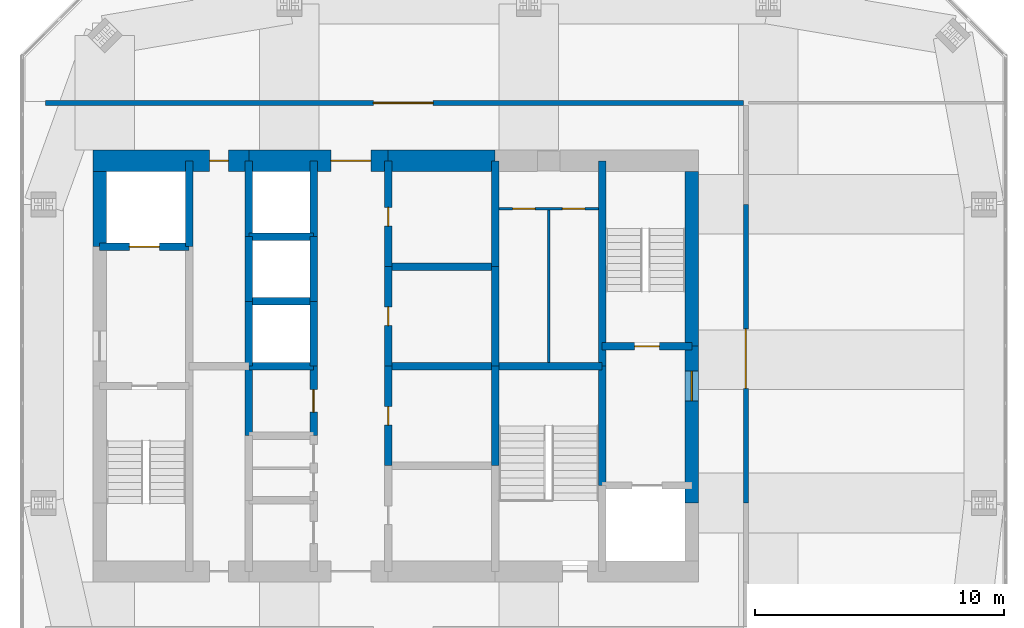
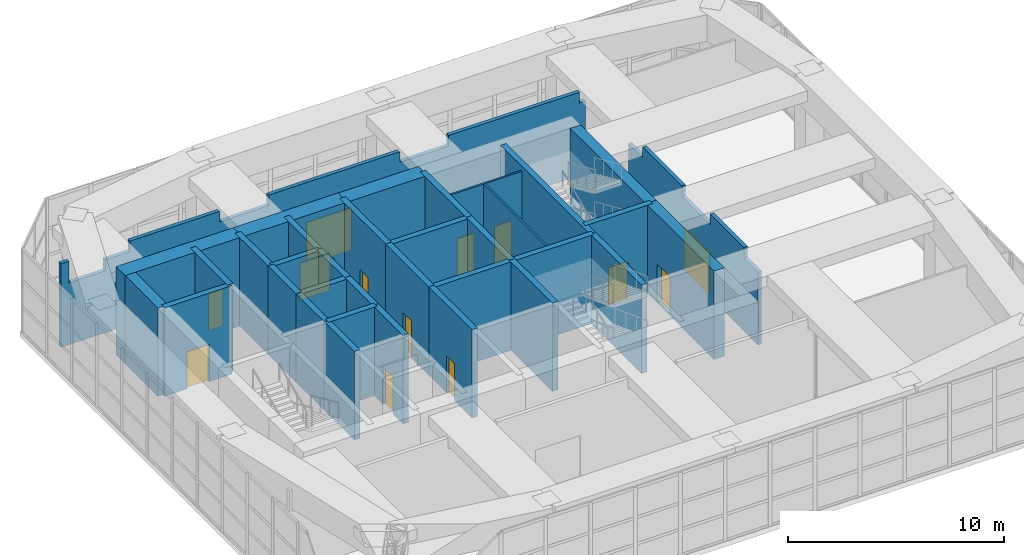
# One storey, part 12 of 14: 35 walls, 13 doors, 13 openings.
"""IFC4 building model written with IfcOpenShell, lengths in metres."""

from ifc_helpers import new_model, si_unit, direction, frame, frame_2d, origin, place, context, subcontext, project, spatial, polyline, rectangle, outline, extrude, material, layer, layer_set, constituent, constituent_set, type_object, element, fill, save


model = new_model("IFC4")

# Units and contexts
model_context = context("Model", 3, precision=1e-05, world=origin(), true_north=direction((0.0, 1.0)))
body_context = subcontext(model_context, "Body", "Model", "MODEL_VIEW")
ifc_project = project(units=[si_unit("LENGTHUNIT", "METRE"), si_unit("AREAUNIT", "SQUARE_METRE"), si_unit("VOLUMEUNIT", "CUBIC_METRE"), si_unit("PLANEANGLEUNIT", "RADIAN"), si_unit("MASSUNIT", "GRAM", prefix="KILO")], contexts=[model_context])

# Site, building, storey
site_placement = place(None, origin())
site = spatial("IfcSite", under=ifc_project, at=site_placement, CompositionType="ELEMENT")
building_placement = place(site_placement, origin())
building = spatial("IfcBuilding", under=site, at=building_placement, Name="Jalousie Tower", CompositionType="ELEMENT")
storey_placement = place(building_placement, frame((0.0, 0.0, 267.75)))
storey = spatial("IfcBuildingStorey", under=building, at=storey_placement, Name="L73", CompositionType="ELEMENT", Elevation=267.75)

# Walls
ifc_material_1 = material(Name="Concrete f'c 120 MPa", Category="concrete")
ifc_layer_1 = layer(ifc_material_1, 0.300048828125)
ifc_layer_set_1 = layer_set([ifc_layer_1], Name="Concrete f'c 120 MPa")
wall_type_1 = type_object("IfcWallType", Name="CORE WALL 300", PredefinedType="SHEAR", material=ifc_layer_set_1)
wall_1_placement = place(storey_placement, frame((23.60009765625, 23.300048828125, 0.0), z_axis=(0.0, 0.0, 1.0), x_axis=(0.0, 1.0, 0.0)))
element("IfcWall", 1, at=wall_1_placement, inside=storey, type_object=wall_type_1, Name="Core wall X23.6C L73", PredefinedType="SHEAR", context=body_context, shape_type="SweptSolid", body=[
    extrude(rectangle(XDim=3.449951171875, YDim=0.300048828125, at=frame_2d((1.72509765625, 0.0))), origin(), (0.0, 0.0, 1.0), 5.0),
])
wall_2_placement = place(storey_placement, frame((26.0, 15.699951171875, 0.0), z_axis=(0.0, 0.0, 1.0), x_axis=(0.0, 1.0, 0.0)))
element("IfcWall", 2, at=wall_2_placement, inside=storey, type_object=wall_type_1, Name="Core wall X26C L73", PredefinedType="SHEAR", context=body_context, shape_type="SweptSolid", body=[
    extrude(rectangle(XDim=2.800048828125, YDim=0.300048828125, at=frame_2d((1.39990234375, 0.0))), origin(), (0.0, 0.0, 1.0), 5.0),
])
wall_3_placement = place(storey_placement, frame((26.0, 18.5, 0.0), z_axis=(0.0, 0.0, 1.0), x_axis=(0.0, 1.0, 0.0)))
element("IfcWall", 3, at=wall_3_placement, inside=storey, type_object=wall_type_1, Name="Core wall X26D L73", PredefinedType="SHEAR", context=body_context, shape_type="SweptSolid", body=[
    extrude(rectangle(XDim=2.60009765625, YDim=0.300048828125, at=frame_2d((1.300048828125, 0.0))), origin(), (0.0, 0.0, 1.0), 5.0),
])
wall_4_placement = place(storey_placement, frame((26.0, 21.10009765625, 0.0), z_axis=(0.0, 0.0, 1.0), x_axis=(0.0, 1.0, 0.0)))
element("IfcWall", 4, at=wall_4_placement, inside=storey, type_object=wall_type_1, Name="Core wall X26E L73", PredefinedType="SHEAR", context=body_context, shape_type="SweptSolid", body=[
    extrude(rectangle(XDim=2.599853515625, YDim=0.300048828125, at=frame_2d((1.2998046875, 0.0))), origin(), (0.0, 0.0, 1.0), 5.0),
])
wall_5_placement = place(storey_placement, frame((26.0, 23.699951171875, 0.0), z_axis=(0.0, 0.0, 1.0), x_axis=(0.0, 1.0, 0.0)))
element("IfcWall", 5, at=wall_5_placement, inside=storey, type_object=wall_type_1, Name="Core wall X26F L73", PredefinedType="SHEAR", context=body_context, shape_type="SweptSolid", body=[
    extrude(rectangle(XDim=3.050048828125, YDim=0.300048828125, at=frame_2d((1.52490234375, 0.0))), origin(), (0.0, 0.0, 1.0), 5.0),
])

# Wall, opening, door
wall_6_placement = place(storey_placement, frame((28.60009765625, 15.699951171875, 0.0), z_axis=(0.0, 0.0, 1.0), x_axis=(0.0, 1.0, 0.0)))
wall_6 = element("IfcWall", 6, at=wall_6_placement, inside=storey, type_object=wall_type_1, Name="Core wall X28.6C L73", PredefinedType="SHEAR", context=body_context, shape_type="SweptSolid", body=[
    extrude(rectangle(XDim=2.800048828125, YDim=0.300048828125, at=frame_2d((1.39990234375, 0.0))), origin(), (0.0, 0.0, 1.0), 5.0),
])
opening_1_placement = place(wall_6_placement, frame((0.949951171875, 0.0, 0.0)))
opening_1 = element("IfcOpeningElement", 7, at=opening_1_placement, cuts=wall_6, Name="Opening D24", PredefinedType="OPENING", context=body_context, shape_type="SweptSolid", body=[
    extrude(rectangle(XDim=0.89990234375, YDim=2.10009765625, at=frame_2d((0.449951171875, 1.050048828125))), frame((0.0, 0.159912109375, 0.0), z_axis=(0.0, -1.0, 0.0), x_axis=(1.0, 0.0, 0.0)), (0.0, 0.0, 1.0), 0.320068359375),
])
ifc_material_2 = material(Name="Steel fire door", Category="steel")
door_type_1 = type_object("IfcDoorType", Name="CORE ROOM DOOR 900", OperationType="SINGLE_SWING_LEFT", PredefinedType="DOOR", material=ifc_material_2)
door_1_placement = place(opening_1_placement, origin())
door_1 = element("IfcDoor", 8, at=door_1_placement, inside=storey, type_object=door_type_1, Name="IT room door", OperationType="SINGLE_SWING_LEFT", OverallHeight=2.10009765625, OverallWidth=0.89990234375, PredefinedType="DOOR", context=body_context, shape_type="SweptSolid", body=[
    extrude(rectangle(XDim=0.89990234375, YDim=2.10009765625, at=frame_2d((0.449951171875, 1.050048828125))), frame((0.0, 0.02490234375, 0.0), z_axis=(0.0, -1.0, 0.0), x_axis=(1.0, 0.0, 0.0)), (0.0, 0.0, 1.0), 0.050048828125),
])
fill(opening_1, door_1)

# Walls
wall_7_placement = place(storey_placement, frame((28.60009765625, 18.5, 0.0), z_axis=(0.0, 0.0, 1.0), x_axis=(0.0, 1.0, 0.0)))
element("IfcWall", 9, at=wall_7_placement, inside=storey, type_object=wall_type_1, Name="Core wall X28.6D L73", PredefinedType="SHEAR", context=body_context, shape_type="SweptSolid", body=[
    extrude(rectangle(XDim=2.60009765625, YDim=0.300048828125, at=frame_2d((1.300048828125, 0.0))), origin(), (0.0, 0.0, 1.0), 5.0),
])
wall_8_placement = place(storey_placement, frame((28.60009765625, 21.10009765625, 0.0), z_axis=(0.0, 0.0, 1.0), x_axis=(0.0, 1.0, 0.0)))
element("IfcWall", 10, at=wall_8_placement, inside=storey, type_object=wall_type_1, Name="Core wall X28.6E L73", PredefinedType="SHEAR", context=body_context, shape_type="SweptSolid", body=[
    extrude(rectangle(XDim=2.599853515625, YDim=0.300048828125, at=frame_2d((1.2998046875, 0.0))), origin(), (0.0, 0.0, 1.0), 5.0),
])
wall_9_placement = place(storey_placement, frame((28.60009765625, 23.699951171875, 0.0), z_axis=(0.0, 0.0, 1.0), x_axis=(0.0, 1.0, 0.0)))
element("IfcWall", 11, at=wall_9_placement, inside=storey, type_object=wall_type_1, Name="Core wall X28.6F L73", PredefinedType="SHEAR", context=body_context, shape_type="SweptSolid", body=[
    extrude(rectangle(XDim=3.050048828125, YDim=0.300048828125, at=frame_2d((1.52490234375, 0.0))), origin(), (0.0, 0.0, 1.0), 5.0),
])

# Wall, opening, door
wall_10_placement = place(storey_placement, frame((31.60009765625, 14.5, 0.0), z_axis=(0.0, 0.0, 1.0), x_axis=(0.0, 1.0, 0.0)))
wall_10 = element("IfcWall", 12, at=wall_10_placement, inside=storey, type_object=wall_type_1, Name="Core wall X31.6B L73", PredefinedType="SHEAR", context=body_context, shape_type="SweptSolid", body=[
    extrude(rectangle(XDim=4.0, YDim=0.300048828125, at=frame_2d((2.0, 0.0))), origin(), (0.0, 0.0, 1.0), 5.0),
])
opening_2_placement = place(wall_10_placement, frame((1.625, 0.0, 0.0)))
opening_2 = element("IfcOpeningElement", 13, at=opening_2_placement, cuts=wall_10, Name="Opening D16", PredefinedType="OPENING", context=body_context, shape_type="SweptSolid", body=[
    extrude(rectangle(XDim=0.75, YDim=2.10009765625, at=frame_2d((0.375, 1.050048828125))), frame((0.0, 0.159912109375, 0.0), z_axis=(0.0, -1.0, 0.0), x_axis=(1.0, 0.0, 0.0)), (0.0, 0.0, 1.0), 0.320068359375),
])
ifc_material_3 = material(Name="Steel fire door", Category="steel")
door_type_2 = type_object("IfcDoorType", Name="RISER DOOR 750", OperationType="SINGLE_SWING_LEFT", PredefinedType="DOOR", material=ifc_material_3)
door_2_placement = place(opening_2_placement, frame((0.75, 0.0, 0.0), z_axis=(0.0, 0.0, 1.0), x_axis=(-1.0, 0.0, 0.0)))
door_2 = element("IfcDoor", 14, at=door_2_placement, inside=storey, type_object=door_type_2, Name="Electrical Room door", OperationType="SINGLE_SWING_RIGHT", OverallHeight=2.10009765625, OverallWidth=0.75, PredefinedType="DOOR", context=body_context, shape_type="SweptSolid", body=[
    extrude(rectangle(XDim=0.75, YDim=2.10009765625, at=frame_2d((0.375, 1.050048828125))), frame((0.0, 0.02490234375, 0.0), z_axis=(0.0, -1.0, 0.0), x_axis=(1.0, 0.0, 0.0)), (0.0, 0.0, 1.0), 0.050048828125),
])
fill(opening_2, door_2)

wall_11_placement = place(storey_placement, frame((31.60009765625, 18.5, 0.0), z_axis=(0.0, 0.0, 1.0), x_axis=(0.0, 1.0, 0.0)))
wall_11 = element("IfcWall", 15, at=wall_11_placement, inside=storey, type_object=wall_type_1, Name="Core wall X31.6C L73", PredefinedType="SHEAR", context=body_context, shape_type="SweptSolid", body=[
    extrude(rectangle(XDim=4.0, YDim=0.300048828125, at=frame_2d((2.0, 0.0))), origin(), (0.0, 0.0, 1.0), 5.0),
])
opening_3_placement = place(wall_11_placement, frame((1.625, 0.0, 0.0)))
opening_3 = element("IfcOpeningElement", 16, at=opening_3_placement, cuts=wall_11, Name="Opening D16", PredefinedType="OPENING", context=body_context, shape_type="SweptSolid", body=[
    extrude(rectangle(XDim=0.75, YDim=2.10009765625, at=frame_2d((0.375, 1.050048828125))), frame((0.0, 0.159912109375, 0.0), z_axis=(0.0, -1.0, 0.0), x_axis=(1.0, 0.0, 0.0)), (0.0, 0.0, 1.0), 0.320068359375),
])
door_3_placement = place(opening_3_placement, frame((0.75, 0.0, 0.0), z_axis=(0.0, 0.0, 1.0), x_axis=(-1.0, 0.0, 0.0)))
door_3 = element("IfcDoor", 17, at=door_3_placement, inside=storey, type_object=door_type_2, Name="Telecom Room door", OperationType="SINGLE_SWING_RIGHT", OverallHeight=2.10009765625, OverallWidth=0.75, PredefinedType="DOOR", context=body_context, shape_type="SweptSolid", body=[
    extrude(rectangle(XDim=0.75, YDim=2.10009765625, at=frame_2d((0.375, 1.050048828125))), frame((0.0, 0.02490234375, 0.0), z_axis=(0.0, -1.0, 0.0), x_axis=(1.0, 0.0, 0.0)), (0.0, 0.0, 1.0), 0.050048828125),
])
fill(opening_3, door_3)

wall_12_placement = place(storey_placement, frame((31.60009765625, 22.5, 0.0), z_axis=(0.0, 0.0, 1.0), x_axis=(0.0, 1.0, 0.0)))
wall_12 = element("IfcWall", 18, at=wall_12_placement, inside=storey, type_object=wall_type_1, Name="Core wall X31.6D L73", PredefinedType="SHEAR", context=body_context, shape_type="SweptSolid", body=[
    extrude(rectangle(XDim=4.25, YDim=0.300048828125, at=frame_2d((2.125, 0.0))), origin(), (0.0, 0.0, 1.0), 5.0),
])
opening_4_placement = place(wall_12_placement, frame((1.625, 0.0, 0.0)))
opening_4 = element("IfcOpeningElement", 19, at=opening_4_placement, cuts=wall_12, Name="Opening D16", PredefinedType="OPENING", context=body_context, shape_type="SweptSolid", body=[
    extrude(rectangle(XDim=0.75, YDim=2.10009765625, at=frame_2d((0.375, 1.050048828125))), frame((0.0, 0.159912109375, 0.0), z_axis=(0.0, -1.0, 0.0), x_axis=(1.0, 0.0, 0.0)), (0.0, 0.0, 1.0), 0.320068359375),
])
door_4_placement = place(opening_4_placement, frame((0.75, 0.0, 0.0), z_axis=(0.0, 0.0, 1.0), x_axis=(-1.0, 0.0, 0.0)))
door_4 = element("IfcDoor", 20, at=door_4_placement, inside=storey, type_object=door_type_2, Name="Water Services Room door", OperationType="SINGLE_SWING_LEFT", OverallHeight=2.10009765625, OverallWidth=0.75, PredefinedType="DOOR", context=body_context, shape_type="SweptSolid", body=[
    extrude(rectangle(XDim=0.75, YDim=2.10009765625, at=frame_2d((0.375, 1.050048828125))), frame((0.0, 0.02490234375, 0.0), z_axis=(0.0, -1.0, 0.0), x_axis=(1.0, 0.0, 0.0)), (0.0, 0.0, 1.0), 0.050048828125),
])
fill(opening_4, door_4)

# Walls
for number, where, z_axis, x_axis, name in (
    (21, (35.89990234375, 14.5, 0.0), (0.0, 0.0, 1.0), (0.0, 1.0, 0.0), "Core wall X35.9B L73"),
    (22, (35.89990234375, 18.5, 0.0), (0.0, 0.0, 1.0), (0.0, 1.0, 0.0), "Core wall X35.9C L73"),
):
    element("IfcWall", number, at=place(storey_placement, frame(where, z_axis=z_axis, x_axis=x_axis)), inside=storey, type_object=wall_type_1, Name=name, PredefinedType="SHEAR", context=body_context, shape_type="SweptSolid", body=[
        extrude(rectangle(XDim=4.0, YDim=0.300048828125, at=frame_2d((2.0, 0.0))), origin(), (0.0, 0.0, 1.0), 5.0),
    ])
wall_13_placement = place(storey_placement, frame((35.89990234375, 22.5, 0.0), z_axis=(0.0, 0.0, 1.0), x_axis=(0.0, 1.0, 0.0)))
element("IfcWall", 23, at=wall_13_placement, inside=storey, type_object=wall_type_1, Name="Core wall X35.9D L73", PredefinedType="SHEAR", context=body_context, shape_type="SweptSolid", body=[
    extrude(rectangle(XDim=4.25, YDim=0.300048828125, at=frame_2d((2.125, 0.0))), origin(), (0.0, 0.0, 1.0), 5.0),
])
wall_14_placement = place(storey_placement, frame((40.199951171875, 13.699951171875, 0.0), z_axis=(0.0, 0.0, 1.0), x_axis=(0.0, 1.0, 0.0)))
element("IfcWall", 24, at=wall_14_placement, inside=storey, type_object=wall_type_1, Name="Core wall X40.2B L73", PredefinedType="SHEAR", context=body_context, shape_type="SweptSolid", body=[
    extrude(rectangle(XDim=4.800048828125, YDim=0.300048828125, at=frame_2d((2.39990234375, 0.0))), origin(), (0.0, 0.0, 1.0), 5.0),
])
wall_15_placement = place(storey_placement, frame((40.199951171875, 18.5, 0.0), z_axis=(0.0, 0.0, 1.0), x_axis=(0.0, 1.0, 0.0)))
element("IfcWall", 25, at=wall_15_placement, inside=storey, type_object=wall_type_1, Name="Core wall X40.2C L73", PredefinedType="SHEAR", context=body_context, shape_type="SweptSolid", body=[
    extrude(rectangle(XDim=8.25, YDim=0.300048828125, at=frame_2d((4.125, 0.0))), origin(), (0.0, 0.0, 1.0), 5.0),
])

# Wall, opening, door
wall_16_placement = place(storey_placement, frame((20.0, 23.300048828125, 0.0), z_axis=(0.0, 0.0, 1.0), x_axis=(1.0, 0.0, 0.0)))
wall_16 = element("IfcWall", 26, at=wall_16_placement, inside=storey, type_object=wall_type_1, Name="Core wall Y20-23.3 L73", PredefinedType="SHEAR", context=body_context, shape_type="SweptSolid", body=[
    extrude(rectangle(XDim=3.60009765625, YDim=0.300048828125, at=frame_2d((1.800048828125, 0.0))), origin(), (0.0, 0.0, 1.0), 5.0),
])
opening_5_placement = place(wall_16_placement, frame((1.199951171875, 0.0, 0.0)))
opening_5 = element("IfcOpeningElement", 27, at=opening_5_placement, cuts=wall_16, Name="Opening LD2", PredefinedType="OPENING", context=body_context, shape_type="SweptSolid", body=[
    extrude(rectangle(XDim=1.199951171875, YDim=2.10009765625, at=frame_2d((0.60009765625, 1.050048828125))), frame((0.0, 0.159912109375, 0.0), z_axis=(0.0, -1.0, 0.0), x_axis=(1.0, 0.0, 0.0)), (0.0, 0.0, 1.0), 0.320068359375),
])
ifc_material_4 = material(Name="Steel lift landing door", Category="steel")
door_type_3 = type_object("IfcDoorType", Name="LIFT LANDING DOOR 1200", OperationType="SLIDING_TO_LEFT", PredefinedType="DOOR", material=ifc_material_4)
door_5_placement = place(opening_5_placement, origin())
door_5 = element("IfcDoor", 28, at=door_5_placement, inside=storey, type_object=door_type_3, Name="Lift F1 landing door", OperationType="SLIDING_TO_LEFT", OverallHeight=2.10009765625, OverallWidth=1.199951171875, PredefinedType="DOOR", context=body_context, shape_type="SweptSolid", body=[
    extrude(rectangle(XDim=1.199951171875, YDim=2.10009765625, at=frame_2d((0.60009765625, 1.050048828125))), frame((0.0, 0.02490234375, 0.0), z_axis=(0.0, -1.0, 0.0), x_axis=(1.0, 0.0, 0.0)), (0.0, 0.0, 1.0), 0.050048828125),
])
fill(opening_5, door_5)

# Walls
for number, where, z_axis, x_axis, name in (
    (29, (26.0, 18.5, 0.0), (0.0, 0.0, 1.0), (1.0, 0.0, 0.0), "Core wall Y26-18.5 L73"),
    (30, (26.0, 21.10009765625, 0.0), (0.0, 0.0, 1.0), (1.0, 0.0, 0.0), "Core wall Y26-21.1 L73"),
    (31, (26.0, 23.699951171875, 0.0), (0.0, 0.0, 1.0), (1.0, 0.0, 0.0), "Core wall Y26-23.7 L73"),
):
    element("IfcWall", number, at=place(storey_placement, frame(where, z_axis=z_axis, x_axis=x_axis)), inside=storey, type_object=wall_type_1, Name=name, PredefinedType="SHEAR", context=body_context, shape_type="SweptSolid", body=[
        extrude(rectangle(XDim=2.60009765625, YDim=0.300048828125, at=frame_2d((1.300048828125, 0.0))), origin(), (0.0, 0.0, 1.0), 5.0),
    ])
for number, where, z_axis, x_axis, name in (
    (32, (31.60009765625, 18.5, 0.0), (0.0, 0.0, 1.0), (1.0, 0.0, 0.0), "Core wall Y31.6-18.5 L73"),
    (33, (31.60009765625, 22.5, 0.0), (0.0, 0.0, 1.0), (1.0, 0.0, 0.0), "Core wall Y31.6-22.5 L73"),
):
    element("IfcWall", number, at=place(storey_placement, frame(where, z_axis=z_axis, x_axis=x_axis)), inside=storey, type_object=wall_type_1, Name=name, PredefinedType="SHEAR", context=body_context, shape_type="SweptSolid", body=[
        extrude(rectangle(XDim=4.2998046875, YDim=0.300048828125, at=frame_2d((2.14990234375, 0.0))), origin(), (0.0, 0.0, 1.0), 5.0),
    ])
wall_17_placement = place(storey_placement, frame((35.89990234375, 18.5, 0.0), z_axis=(0.0, 0.0, 1.0), x_axis=(1.0, 0.0, 0.0)))
element("IfcWall", 34, at=wall_17_placement, inside=storey, type_object=wall_type_1, Name="Core wall Y35.9-18.5 L73", PredefinedType="SHEAR", context=body_context, shape_type="SweptSolid", body=[
    extrude(rectangle(XDim=4.300048828125, YDim=0.300048828125, at=frame_2d((2.14990234375, 0.0))), origin(), (0.0, 0.0, 1.0), 5.0),
])

# Wall, opening, door
wall_18_placement = place(storey_placement, frame((40.199951171875, 19.300048828125, 0.0), z_axis=(0.0, 0.0, 1.0), x_axis=(1.0, 0.0, 0.0)))
wall_18 = element("IfcWall", 35, at=wall_18_placement, inside=storey, type_object=wall_type_1, Name="Core wall Y40.2-19.3 L73", PredefinedType="SHEAR", context=body_context, shape_type="SweptSolid", body=[
    extrude(rectangle(XDim=3.60009765625, YDim=0.300048828125, at=frame_2d((1.800048828125, 0.0))), origin(), (0.0, 0.0, 1.0), 5.0),
])
opening_6_placement = place(wall_18_placement, frame((1.300048828125, 0.0, 0.0)))
opening_6 = element("IfcOpeningElement", 36, at=opening_6_placement, cuts=wall_18, Name="Opening D10", PredefinedType="OPENING", context=body_context, shape_type="SweptSolid", body=[
    extrude(rectangle(XDim=1.0, YDim=2.10009765625, at=frame_2d((0.5, 1.050048828125))), frame((0.0, 0.159912109375, 0.0), z_axis=(0.0, -1.0, 0.0), x_axis=(1.0, 0.0, 0.0)), (0.0, 0.0, 1.0), 0.320068359375),
])
ifc_material_5 = material(Name="Steel fire door", Category="steel")
door_type_4 = type_object("IfcDoorType", Name="STAIR DOOR 1000", OperationType="SINGLE_SWING_LEFT", PredefinedType="DOOR", material=ifc_material_5)
door_6_placement = place(opening_6_placement, origin())
door_6 = element("IfcDoor", 37, at=door_6_placement, inside=storey, type_object=door_type_4, Name="Exit stair B door", OperationType="SINGLE_SWING_RIGHT", OverallHeight=2.10009765625, OverallWidth=1.0, PredefinedType="DOOR", context=body_context, shape_type="SweptSolid", body=[
    extrude(rectangle(XDim=1.0, YDim=2.10009765625, at=frame_2d((0.5, 1.050048828125))), frame((0.0, 0.02490234375, 0.0), z_axis=(0.0, -1.0, 0.0), x_axis=(1.0, 0.0, 0.0)), (0.0, 0.0, 1.0), 0.050048828125),
])
fill(opening_6, door_6)

# Wall
ifc_material_6 = material(Name="Concrete f'c 120 MPa", Category="concrete")
ifc_layer_2 = layer(ifc_material_6, 0.550048828125)
ifc_layer_set_2 = layer_set([ifc_layer_2], Name="Concrete f'c 120 MPa")
wall_type_2 = type_object("IfcWallType", Name="CORE WALL 550", PredefinedType="SHEAR", material=ifc_layer_set_2)
wall_19_placement = place(storey_placement, frame((20.0, 26.324951171875, 0.0), z_axis=(0.0, 0.0, 1.0), x_axis=(0.0, -1.0, 0.0)))
element("IfcWall", 38, at=wall_19_placement, inside=storey, type_object=wall_type_2, Name="Core wall WA L73", PredefinedType="SHEAR", context=body_context, shape_type="SweptSolid", body=[
    extrude(rectangle(XDim=3.02490234375, YDim=0.550048828125, at=frame_2d((1.512451171875, 0.0))), origin(), (0.0, 0.0, 1.0), 5.0),
])

# Wall, opening, door
wall_20_placement = place(storey_placement, frame((43.800048828125, 13.0, 0.0), z_axis=(0.0, 0.0, 1.0), x_axis=(0.0, 1.0, 0.0)))
wall_20 = element("IfcWall", 39, at=wall_20_placement, inside=storey, type_object=wall_type_2, Name="Core wall EB L73", PredefinedType="SHEAR", context=body_context, shape_type="SweptSolid", body=[
    extrude(rectangle(XDim=6.300048828125, YDim=0.550048828125, at=frame_2d((3.14990234375, 0.0))), origin(), (0.0, 0.0, 1.0), 5.0),
])
opening_7_placement = place(wall_20_placement, frame((4.10009765625, 0.0, 0.0)))
opening_7 = element("IfcOpeningElement", 40, at=opening_7_placement, cuts=wall_20, Name="Opening D11", PredefinedType="OPENING", context=body_context, shape_type="SweptSolid", body=[
    extrude(rectangle(XDim=1.199951171875, YDim=2.199951171875, at=frame_2d((0.60009765625, 1.10009765625))), frame((0.0, 0.284912109375, 0.0), z_axis=(0.0, -1.0, 0.0), x_axis=(1.0, 0.0, 0.0)), (0.0, 0.0, 1.0), 0.570068359375),
])
ifc_material_7 = material(Name="Steel fire door", Category="steel")
door_type_5 = type_object("IfcDoorType", Name="FIRE DOOR 1200", OperationType="SINGLE_SWING_LEFT", PredefinedType="DOOR", material=ifc_material_7)
door_7_placement = place(opening_7_placement, origin())
door_7 = element("IfcDoor", 41, at=door_7_placement, inside=storey, type_object=door_type_5, Name="Fire-fighting lobby B door", OperationType="SINGLE_SWING_RIGHT", OverallHeight=2.199951171875, OverallWidth=1.199951171875, PredefinedType="DOOR", context=body_context, shape_type="SweptSolid", body=[
    extrude(rectangle(XDim=1.199951171875, YDim=2.199951171875, at=frame_2d((0.60009765625, 1.10009765625))), frame((0.0, 0.02490234375, 0.0), z_axis=(0.0, -1.0, 0.0), x_axis=(1.0, 0.0, 0.0)), (0.0, 0.0, 1.0), 0.050048828125),
])
fill(opening_7, door_7)

# Walls
wall_21_placement = place(storey_placement, frame((43.800048828125, 19.300048828125, 0.0), z_axis=(0.0, 0.0, 1.0), x_axis=(0.0, 1.0, 0.0)))
element("IfcWall", 42, at=wall_21_placement, inside=storey, type_object=wall_type_2, Name="Core wall EC L73", PredefinedType="SHEAR", context=body_context, shape_type="SweptSolid", body=[
    extrude(rectangle(XDim=7.02490234375, YDim=0.550048828125, at=frame_2d((3.512451171875, 0.0))), origin(), (0.0, 0.0, 1.0), 5.0),
])
ifc_material_8 = material(Name="Concrete f'c 120 MPa", Category="concrete")
ifc_layer_3 = layer(ifc_material_8, 0.85009765625)
ifc_layer_set_3 = layer_set([ifc_layer_3], Name="Concrete f'c 120 MPa")
wall_type_3 = type_object("IfcWallType", Name="CORE WALL 850", PredefinedType="SHEAR", material=ifc_layer_set_3)
wall_22_placement = place(storey_placement, frame((35.89990234375, 26.75, 0.0), z_axis=(0.0, 0.0, 1.0), x_axis=(-1.0, 0.0, 0.0)))
element("IfcWall", 43, at=wall_22_placement, inside=storey, type_object=wall_type_3, Name="Core wall NB L73", PredefinedType="SHEAR", context=body_context, shape_type="SweptSolid", body=[
    extrude(rectangle(XDim=4.2998046875, YDim=0.85009765625, at=frame_2d((2.14990234375, 0.0))), origin(), (0.0, 0.0, 1.0), 5.0),
])

# Wall, opening, door
wall_23_placement = place(storey_placement, frame((31.60009765625, 26.75, 0.0), z_axis=(0.0, 0.0, 1.0), x_axis=(-1.0, 0.0, 0.0)))
wall_23 = element("IfcWall", 44, at=wall_23_placement, inside=storey, type_object=wall_type_3, Name="Core wall NC L73", PredefinedType="SHEAR", context=body_context, shape_type="SweptSolid", body=[
    extrude(rectangle(XDim=5.60009765625, YDim=0.85009765625, at=frame_2d((2.800048828125, 0.0))), origin(), (0.0, 0.0, 1.0), 5.0),
])
opening_8_placement = place(wall_23_placement, frame((0.699951171875, 0.0, 0.0)))
opening_8 = element("IfcOpeningElement", 45, at=opening_8_placement, cuts=wall_23, Name="Opening D15", PredefinedType="OPENING", context=body_context, shape_type="SweptSolid", body=[
    extrude(rectangle(XDim=1.60009765625, YDim=2.10009765625, at=frame_2d((0.800048828125, 1.050048828125))), frame((0.0, 0.43505859375, 0.0), z_axis=(0.0, -1.0, 0.0), x_axis=(1.0, 0.0, 0.0)), (0.0, 0.0, 1.0), 0.8701171875),
])
ifc_material_9 = material(Name="Steel fire door", Category="steel")
door_type_6 = type_object("IfcDoorType", Name="LIFT LOBBY DOOR 1600", OperationType="DOUBLE_DOOR_SINGLE_SWING", PredefinedType="DOOR", material=ifc_material_9)
door_8_placement = place(opening_8_placement, origin())
door_8 = element("IfcDoor", 46, at=door_8_placement, inside=storey, type_object=door_type_6, Name="Lift lobby north door", OperationType="DOUBLE_DOOR_SINGLE_SWING", OverallHeight=2.10009765625, OverallWidth=1.60009765625, PredefinedType="DOOR", context=body_context, shape_type="SweptSolid", body=[
    extrude(rectangle(XDim=1.60009765625, YDim=2.10009765625, at=frame_2d((0.800048828125, 1.050048828125))), frame((0.0, 0.02490234375, 0.0), z_axis=(0.0, -1.0, 0.0), x_axis=(1.0, 0.0, 0.0)), (0.0, 0.0, 1.0), 0.050048828125),
])
fill(opening_8, door_8)

wall_24_placement = place(storey_placement, frame((26.0, 26.75, 0.0), z_axis=(0.0, 0.0, 1.0), x_axis=(-1.0, 0.0, 0.0)))
wall_24 = element("IfcWall", 47, at=wall_24_placement, inside=storey, type_object=wall_type_3, Name="Core wall ND L73", PredefinedType="SHEAR", context=body_context, shape_type="SweptSolid", body=[
    extrude(rectangle(XDim=6.27490234375, YDim=0.85009765625, at=frame_2d((3.137451171875, 0.0))), origin(), (0.0, 0.0, 1.0), 5.0),
])
opening_9_placement = place(wall_24_placement, frame((0.824951171875, 0.0, 0.0)))
opening_9 = element("IfcOpeningElement", 48, at=opening_9_placement, cuts=wall_24, Name="Opening D16", PredefinedType="OPENING", context=body_context, shape_type="SweptSolid", body=[
    extrude(rectangle(XDim=0.75, YDim=2.10009765625, at=frame_2d((0.375, 1.050048828125))), frame((0.0, 0.43505859375, 0.0), z_axis=(0.0, -1.0, 0.0), x_axis=(1.0, 0.0, 0.0)), (0.0, 0.0, 1.0), 0.8701171875),
])
door_9_placement = place(opening_9_placement, origin())
door_9 = element("IfcDoor", 49, at=door_9_placement, inside=storey, type_object=door_type_2, Name="North riser door", OperationType="SINGLE_SWING_RIGHT", OverallHeight=2.10009765625, OverallWidth=0.75, PredefinedType="DOOR", context=body_context, shape_type="SweptSolid", body=[
    extrude(rectangle(XDim=0.75, YDim=2.10009765625, at=frame_2d((0.375, 1.050048828125))), frame((0.0, 0.02490234375, 0.0), z_axis=(0.0, -1.0, 0.0), x_axis=(1.0, 0.0, 0.0)), (0.0, 0.0, 1.0), 0.050048828125),
])
fill(opening_9, door_9)

ifc_material_10 = material(Name="Concrete block ASTM C90", Category="concrete")
ifc_constituent_1 = constituent(ifc_material_10, Name="Body")
ifc_material_11 = material(Name="Render")
ifc_constituent_2 = constituent(ifc_material_11, Name="Finish")
ifc_constituent_set_1 = constituent_set(constituents=[ifc_constituent_1, ifc_constituent_2])
wall_type_4 = type_object("IfcWallType", Name="CORRIDOR WALL 200", PredefinedType="PARTITIONING", material=ifc_constituent_set_1)
wall_25_placement = place(storey_placement, frame((17.824951171875, 29.074951171875, 0.0), z_axis=(0.0, 0.0, 1.0), x_axis=(1.0, 0.0, 0.0)))
wall_25 = element("IfcWall", 50, at=wall_25_placement, inside=storey, type_object=wall_type_4, Name="Corridor Wall 200 L73", PredefinedType="PARTITIONING", context=body_context, shape_type="SweptSolid", body=[
    extrude(outline(polyline([(0.0, 0.0), (28.050048828125, 0.0), (28.050048828125, 4.719970703125), (28.050048828125, 4.1201171875), (27.739990234375, 4.1201171875), (27.739990234375, 4.719970703125), (20.735107421875, 4.719970703125), (20.735107421875, 4.1201171875), (18.114990234375, 4.1201171875), (18.114990234375, 4.719970703125), (11.110107421875, 4.719970703125), (11.110107421875, 4.1201171875), (8.489990234375, 4.1201171875), (8.489990234375, 4.719970703125), (3.692138671875, 4.719970703125), (3.692138671875, 4.1201171875), (2.36669921875, 4.1201171875), (2.36669921875, 3.5), (0.431396484375, 3.5), (0.431396484375, 4.719970703125), (0.0, 4.719970703125), (0.0, 0.0)])), frame((0.0, 0.10009765625, 0.0), z_axis=(0.0, -1.0, 0.0), x_axis=(1.0, 0.0, 0.0)), (0.0, 0.0, 1.0), 0.199951171875),
])
opening_10_placement = place(wall_25_placement, frame((13.175048828125, 0.0, 0.0)))
opening_10 = element("IfcOpeningElement", 51, at=opening_10_placement, cuts=wall_25, Name="Opening D9", PredefinedType="OPENING", context=body_context, shape_type="SweptSolid", body=[
    extrude(rectangle(XDim=2.39990234375, YDim=2.39990234375, at=frame_2d((1.199951171875, 1.199951171875))), frame((0.0, 0.10986328125, 0.0), z_axis=(0.0, -1.0, 0.0), x_axis=(1.0, 0.0, 0.0)), (0.0, 0.0, 1.0), 0.219970703125),
])
ifc_material_12 = material(Name="Steel fire door", Category="steel")
door_type_7 = type_object("IfcDoorType", Name="PLANT DOOR 2400", OperationType="DOUBLE_DOOR_SINGLE_SWING", PredefinedType="DOOR", material=ifc_material_12)
door_10_placement = place(opening_10_placement, origin())
door_10 = element("IfcDoor", 52, at=door_10_placement, inside=storey, type_object=door_type_7, Name="Water tank room door", OperationType="DOUBLE_DOOR_SINGLE_SWING", OverallHeight=2.39990234375, OverallWidth=2.39990234375, PredefinedType="DOOR", context=body_context, shape_type="SweptSolid", body=[
    extrude(rectangle(XDim=2.39990234375, YDim=2.39990234375, at=frame_2d((1.199951171875, 1.199951171875))), frame((0.0, 0.02490234375, 0.0), z_axis=(0.0, -1.0, 0.0), x_axis=(1.0, 0.0, 0.0)), (0.0, 0.0, 1.0), 0.050048828125),
])
fill(opening_10, door_10)

wall_26_placement = place(storey_placement, frame((45.97509765625, 13.0, 0.0), z_axis=(0.0, 0.0, 1.0), x_axis=(0.0, 1.0, 0.0)))
wall_26 = element("IfcWall", 53, at=wall_26_placement, inside=storey, type_object=wall_type_4, Name="Corridor Wall 200 L73-B", PredefinedType="PARTITIONING", context=body_context, shape_type="SweptSolid", body=[
    extrude(outline(polyline([(0.0, 0.0), (12.0, 0.0), (12.0, 4.1201171875), (10.68994140625, 4.1201171875), (10.68994140625, 4.719970703125), (7.06005859375, 4.719970703125), (7.06005859375, 4.1201171875), (4.43994140625, 4.1201171875), (4.43994140625, 4.719970703125), (1.31005859375, 4.719970703125), (1.31005859375, 4.1201171875), (0.0, 4.1201171875), (0.0, 0.0)])), frame((0.0, 0.10009765625, 0.0), z_axis=(0.0, -1.0, 0.0), x_axis=(1.0, 0.0, 0.0)), (0.0, 0.0, 1.0), 0.199951171875),
])
opening_11_placement = place(wall_26_placement, frame((4.60009765625, 0.0, 0.0)))
opening_11 = element("IfcOpeningElement", 54, at=opening_11_placement, cuts=wall_26, Name="Opening D9", PredefinedType="OPENING", context=body_context, shape_type="SweptSolid", body=[
    extrude(rectangle(XDim=2.39990234375, YDim=2.39990234375, at=frame_2d((1.199951171875, 1.199951171875))), frame((0.0, 0.10986328125, 0.0), z_axis=(0.0, -1.0, 0.0), x_axis=(1.0, 0.0, 0.0)), (0.0, 0.0, 1.0), 0.219970703125),
])
door_11_placement = place(opening_11_placement, frame((2.39990234375, 0.0, 0.0), z_axis=(0.0, 0.0, 1.0), x_axis=(-1.0, 0.0, 0.0)))
door_11 = element("IfcDoor", 55, at=door_11_placement, inside=storey, type_object=door_type_7, Name="Electrical plant room door", OperationType="DOUBLE_DOOR_SINGLE_SWING", OverallHeight=2.39990234375, OverallWidth=2.39990234375, PredefinedType="DOOR", context=body_context, shape_type="SweptSolid", body=[
    extrude(rectangle(XDim=2.39990234375, YDim=2.39990234375, at=frame_2d((1.199951171875, 1.199951171875))), frame((0.0, 0.02490234375, 0.0), z_axis=(0.0, -1.0, 0.0), x_axis=(1.0, 0.0, 0.0)), (0.0, 0.0, 1.0), 0.050048828125),
])
fill(opening_11, door_11)

# Wall, openings, doors
ifc_material_13 = material(Name="Gypsum board", Category="gypsum")
ifc_constituent_3 = constituent(ifc_material_13, Name="Body")
ifc_material_14 = material(Name="Light-gauge steel studs ASTM A653 SS Grade 33", Category="steel")
ifc_constituent_4 = constituent(ifc_material_14, Name="Framing")
ifc_constituent_set_2 = constituent_set(constituents=[ifc_constituent_3, ifc_constituent_4])
wall_type_5 = type_object("IfcWallType", Name="PARTITION 100", PredefinedType="PARTITIONING", material=ifc_constituent_set_2)
wall_27_placement = place(storey_placement, frame((36.050048828125, 24.824951171875, 0.0), z_axis=(0.0, 0.0, 1.0), x_axis=(1.0, 0.0, 0.0)))
wall_27 = element("IfcWall", 56, at=wall_27_placement, inside=storey, type_object=wall_type_5, Name="Partition 100 L73", PredefinedType="PARTITIONING", context=body_context, shape_type="SweptSolid", body=[
    extrude(rectangle(XDim=4.0, YDim=0.10009765625, at=frame_2d((2.0, 0.0))), origin(), (0.0, 0.0, 1.0), 4.719970703125),
])
opening_12_placement = place(wall_27_placement, frame((0.550048828125, 0.0, 0.0)))
opening_12 = element("IfcOpeningElement", 57, at=opening_12_placement, cuts=wall_27, Name="Opening D7", PredefinedType="OPENING", context=body_context, shape_type="SweptSolid", body=[
    extrude(rectangle(XDim=0.89990234375, YDim=2.10009765625, at=frame_2d((0.449951171875, 1.050048828125))), frame((0.0, 0.06005859375, 0.0), z_axis=(0.0, -1.0, 0.0), x_axis=(1.0, 0.0, 0.0)), (0.0, 0.0, 1.0), 0.1201171875),
])
opening_13_placement = place(wall_27_placement, frame((2.550048828125, 0.0, 0.0)))
opening_13 = element("IfcOpeningElement", 58, at=opening_13_placement, cuts=wall_27, Name="Opening D7", PredefinedType="OPENING", context=body_context, shape_type="SweptSolid", body=[
    extrude(rectangle(XDim=0.89990234375, YDim=2.10009765625, at=frame_2d((0.449951171875, 1.050048828125))), frame((0.0, 0.06005859375, 0.0), z_axis=(0.0, -1.0, 0.0), x_axis=(1.0, 0.0, 0.0)), (0.0, 0.0, 1.0), 0.1201171875),
])
ifc_material_15 = material(Name="Timber door", Category="wood")
door_type_8 = type_object("IfcDoorType", Name="INTERNAL DOOR 900", OperationType="SINGLE_SWING_LEFT", PredefinedType="DOOR", material=ifc_material_15)
door_12_placement = place(opening_12_placement, frame((0.89990234375, 0.0, 0.0), z_axis=(0.0, 0.0, 1.0), x_axis=(-1.0, 0.0, 0.0)))
door_12 = element("IfcDoor", 59, at=door_12_placement, inside=storey, type_object=door_type_8, Name="Cleaner's store door", OperationType="SINGLE_SWING_LEFT", OverallHeight=2.10009765625, OverallWidth=0.89990234375, PredefinedType="DOOR", context=body_context, shape_type="SweptSolid", body=[
    extrude(rectangle(XDim=0.89990234375, YDim=2.10009765625, at=frame_2d((0.449951171875, 1.050048828125))), frame((0.0, 0.02490234375, 0.0), z_axis=(0.0, -1.0, 0.0), x_axis=(1.0, 0.0, 0.0)), (0.0, 0.0, 1.0), 0.050048828125),
])
fill(opening_12, door_12)
door_13_placement = place(opening_13_placement, frame((0.89990234375, 0.0, 0.0), z_axis=(0.0, 0.0, 1.0), x_axis=(-1.0, 0.0, 0.0)))
door_13 = element("IfcDoor", 60, at=door_13_placement, inside=storey, type_object=door_type_8, Name="Linen store door", OperationType="SINGLE_SWING_RIGHT", OverallHeight=2.10009765625, OverallWidth=0.89990234375, PredefinedType="DOOR", context=body_context, shape_type="SweptSolid", body=[
    extrude(rectangle(XDim=0.89990234375, YDim=2.10009765625, at=frame_2d((0.449951171875, 1.050048828125))), frame((0.0, 0.02490234375, 0.0), z_axis=(0.0, -1.0, 0.0), x_axis=(1.0, 0.0, 0.0)), (0.0, 0.0, 1.0), 0.050048828125),
])
fill(opening_13, door_13)

# Wall
wall_28_placement = place(storey_placement, frame((38.050048828125, 18.64990234375, 0.0), z_axis=(0.0, 0.0, 1.0), x_axis=(0.0, 1.0, 0.0)))
element("IfcWall", 61, at=wall_28_placement, inside=storey, type_object=wall_type_5, Name="Partition 100 L73", PredefinedType="PARTITIONING", context=body_context, shape_type="SweptSolid", body=[
    extrude(rectangle(XDim=6.125, YDim=0.10009765625, at=frame_2d((3.0625, 0.0))), origin(), (0.0, 0.0, 1.0), 4.719970703125),
])

save(model, "model.ifc")
